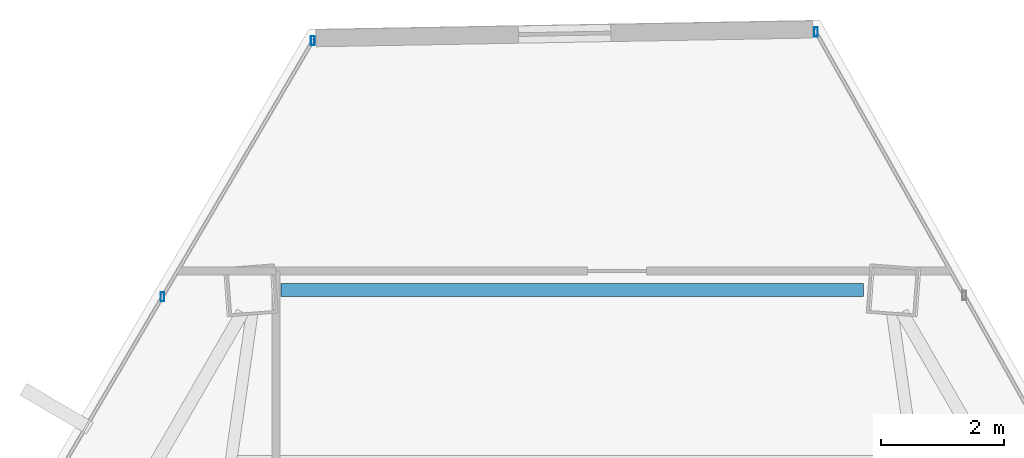
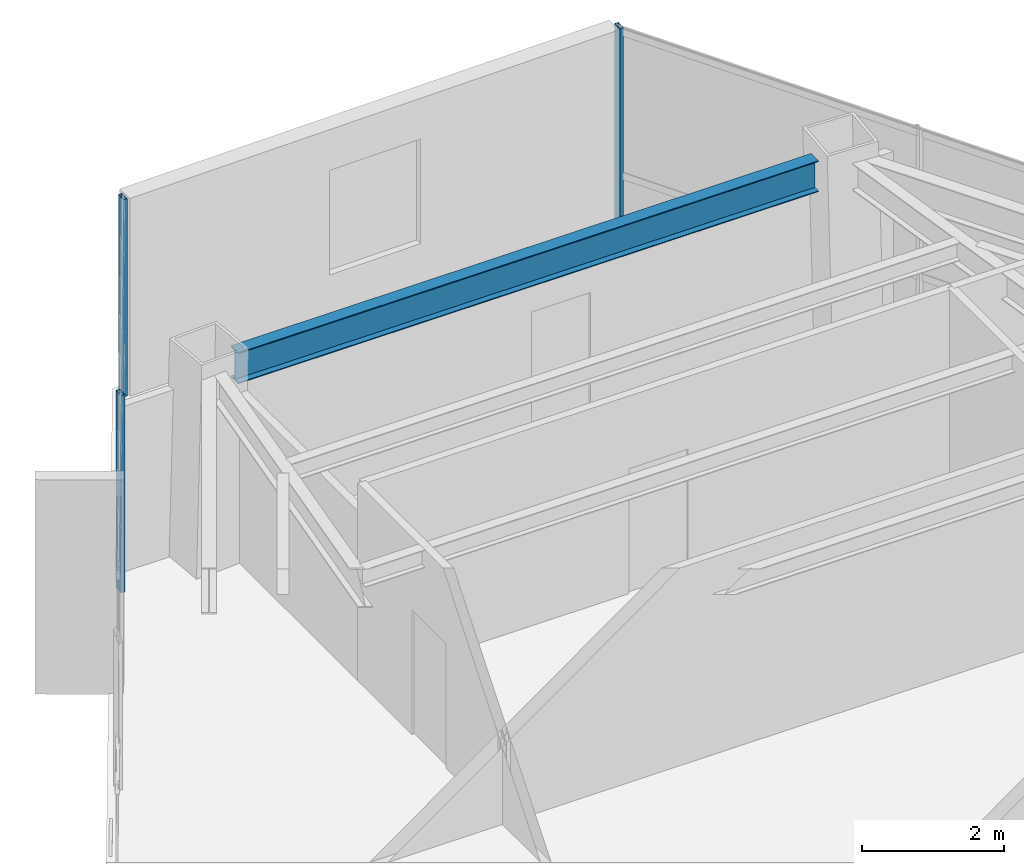
# One storey, part 30 of 44: 3 members, 1 beam, 2 elements without a shape of their own.
"""IFC4 building model written with IfcOpenShell, lengths in metres."""

from ifc_helpers import new_model, si_unit, direction, frame, origin, origin_2d, place, context, subcontext, project, spatial, hollow_rectangle, i_section, extrude, source, transform, mapped, material, material_profile, profile_set, type_object, type_shapes, element, aggregate, save


model = new_model("IFC4")

# Units and contexts
model_context = context("Model", 3, precision=1e-05, world=origin(), true_north=direction((0.0, 1.0)))
body_context = subcontext(model_context, "Body", "Model", "MODEL_VIEW")
ifc_project = project(units=[si_unit("LENGTHUNIT", "METRE"), si_unit("AREAUNIT", "SQUARE_METRE"), si_unit("VOLUMEUNIT", "CUBIC_METRE"), si_unit("PLANEANGLEUNIT", "RADIAN"), si_unit("MASSUNIT", "GRAM", prefix="KILO")], contexts=[model_context])

# Site, building, storey
site_placement = place(None, origin())
site = spatial("IfcSite", under=ifc_project, at=site_placement, CompositionType="ELEMENT")
building_placement = place(site_placement, origin())
building = spatial("IfcBuilding", under=site, at=building_placement, Name="Caelisora Broadcast Tower", CompositionType="ELEMENT")
storey_placement = place(building_placement, frame((0.0, 0.0, 198.64990234375)))
storey = spatial("IfcBuildingStorey", under=building, at=storey_placement, Name="L52", CompositionType="ELEMENT", Elevation=198.64990234375)

# Beam
ifc_material_1 = material(Name="Steel Grade 350 (AS/NZS 3679.1)", Category="steel")
ifc_material_profile_1 = material_profile(ifc_material_1, i_section(OverallWidth=0.208984375, OverallDepth=0.532958984375, WebThickness=0.01025390625, FlangeThickness=0.015625, at=origin_2d()), Name="Steel Grade 350 (AS/NZS 3679.1)")
ifc_profile_set_1 = profile_set([ifc_material_profile_1], Name="Steel Grade 350 (AS/NZS 3679.1)")
beam_type = type_object("IfcBeamType", Name="PG05", PredefinedType="BEAM", material=ifc_profile_set_1)
shared_shape_1 = source(origin(), body_context, "Body", "SweptSolid", [
    extrude(i_section(OverallWidth=0.208984375, OverallDepth=0.532958984375, WebThickness=0.01025390625, FlangeThickness=0.015625, at=origin_2d()), origin(), (0.0, 0.0, 1.0), 9.44482421875),
])
type_shapes(beam_type, [shared_shape_1])
beam_placement = place(storey_placement, frame((42.722412109375, 46.57958984375, 3.133544921875), z_axis=(-1.0, 0.0, 0.0), x_axis=(0.0, -1.0, 0.0)))
element("IfcBeam", 1, at=beam_placement, inside=storey, type_object=beam_type, Name="L52 beam PG05", PredefinedType="BEAM", context=body_context, shape_type="MappedRepresentation", body=[
    mapped(shared_shape_1, transform((0.0, 0.0, 0.0), scale=1.0)),
])

# Curtain wall, member
ifc_material_2 = material(Name="Unitised Aluminium and Low-E Glass Curtain Wall", Category="glass")
curtain_wall_type = type_object("IfcCurtainWallType", Name="CW-Z4", PredefinedType="NOTDEFINED", material=ifc_material_2)
curtain_wall_1_placement = place(storey_placement, origin())
curtain_wall_1 = element("IfcCurtainWall", 2, at=curtain_wall_1_placement, inside=storey, type_object=curtain_wall_type, Name="L52 curtain wall CW-Z4", PredefinedType="NOTDEFINED")
ifc_material_3 = material(Name="Aluminium 6063-T6 Anodised Terracotta Bronze", Category="aluminium")
ifc_material_profile_2 = material_profile(ifc_material_3, hollow_rectangle(XDim=0.06005859375, YDim=0.14990234375, WallThickness=0.00341796875, at=origin_2d()), Name="Aluminium 6063-T6 Anodised Terracotta Bronze")
ifc_profile_set_2 = profile_set([ifc_material_profile_2], Name="Aluminium 6063-T6 Anodised Terracotta Bronze")
member_type = type_object("IfcMemberType", Name="CWM-03", PredefinedType="MULLION", material=ifc_profile_set_2)
shared_shape_2 = source(origin(), body_context, "Body", "SweptSolid", [
    extrude(hollow_rectangle(XDim=0.06005859375, YDim=0.14990234375, WallThickness=0.00341796875, at=origin_2d()), origin(), (0.0, 0.0, 1.0), 3.400146484375),
])
type_shapes(member_type, [shared_shape_2])
member_1_placement = place(storey_placement, frame((41.951416015625, 50.762451171875, 0.0), z_axis=(0.0, 0.0, 1.0), x_axis=(1.0, 0.0, 0.0)))
member_1 = element("IfcMember", 3, at=member_1_placement, type_object=member_type, Name="L52-CW-B01 mullion #0", PredefinedType="MULLION", context=body_context, shape_type="MappedRepresentation", body=[
    mapped(shared_shape_2, transform((0.0, 0.0, 0.0), scale=1.0)),
])
aggregate(curtain_wall_1, [member_1])

# Curtain wall, members
curtain_wall_2_placement = place(storey_placement, origin())
curtain_wall_2 = element("IfcCurtainWall", 4, at=curtain_wall_2_placement, inside=storey, type_object=curtain_wall_type, Name="L52 curtain wall CW-Z4", PredefinedType="NOTDEFINED")
member_2_placement = place(storey_placement, frame((31.354248046875, 46.46923828125, 0.0), z_axis=(0.0, 0.0, 1.0), x_axis=(1.0, 0.0, 0.0)))
member_2 = element("IfcMember", 5, at=member_2_placement, type_object=member_type, Name="L52-CW-B11 mullion #2", PredefinedType="MULLION", context=body_context, shape_type="MappedRepresentation", body=[
    mapped(shared_shape_2, transform((0.0, 0.0, 0.0), scale=1.0)),
])
member_3_placement = place(storey_placement, frame((33.791748046875, 50.619873046875, 0.0), z_axis=(0.0, 0.0, 1.0), x_axis=(1.0, 0.0, 0.0)))
member_3 = element("IfcMember", 6, at=member_3_placement, type_object=member_type, Name="L52-CW-B11 mullion #3", PredefinedType="MULLION", context=body_context, shape_type="MappedRepresentation", body=[
    mapped(shared_shape_2, transform((0.0, 0.0, 0.0), scale=1.0)),
])
aggregate(curtain_wall_2, [member_2, member_3])

save(model, "model.ifc")
